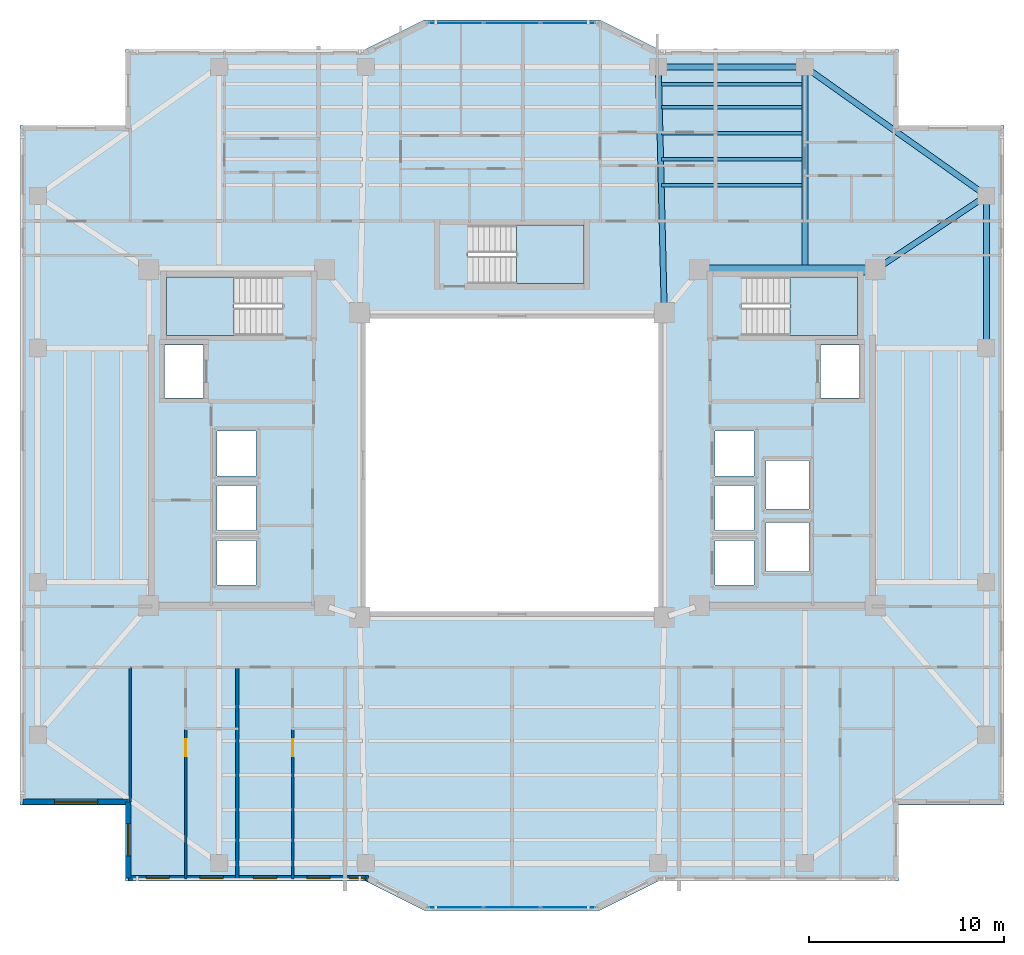
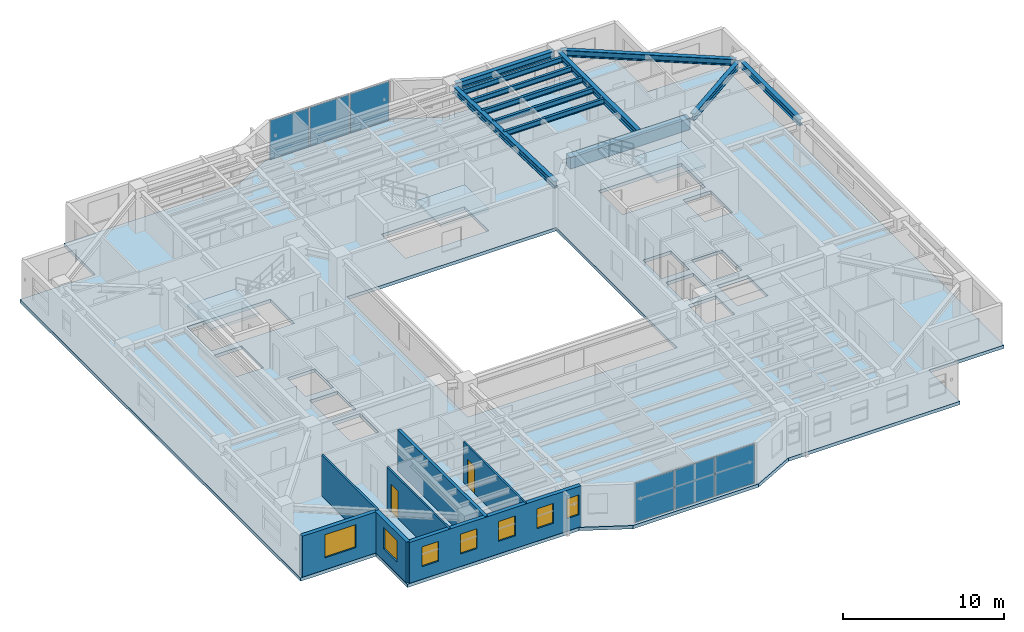
# One storey, part 5 of 16: 12 beams, 7 walls, 7 windows, 6 plates, 4 slabs, 2 doors, 9 openings, 5 elements without a shape of their own.
"""IFC4 building model written with IfcOpenShell, lengths in metres."""

from ifc_helpers import new_model, si_unit, direction, frame, frame_2d, origin, origin_2d, place, context, subcontext, project, spatial, polyline, rectangle, i_section, outline, extrude, material, layer, layer_set, material_profile, profile_set, type_object, element, fill, aggregate, save


model = new_model("IFC4")

# Units and contexts
model_context = context("Model", 3, precision=1e-05, world=origin(), true_north=direction((0.0, 1.0)))
body_context = subcontext(model_context, "Body", "Model", "MODEL_VIEW")
ifc_project = project(units=[si_unit("LENGTHUNIT", "METRE"), si_unit("AREAUNIT", "SQUARE_METRE"), si_unit("VOLUMEUNIT", "CUBIC_METRE"), si_unit("PLANEANGLEUNIT", "RADIAN"), si_unit("MASSUNIT", "GRAM", prefix="KILO")], contexts=[model_context])

# Site, building, storey
site_placement = place(None, origin())
site = spatial("IfcSite", under=ifc_project, at=site_placement, CompositionType="ELEMENT")
building_placement = place(site_placement, origin())
building = spatial("IfcBuilding", under=site, at=building_placement, Name="Tarnavaz Court Tower", CompositionType="ELEMENT")
storey_placement = place(building_placement, frame((0.0, 0.0, 156.050048828125)))
storey = spatial("IfcBuildingStorey", under=building, at=storey_placement, Name="L42", CompositionType="ELEMENT", Elevation=156.050048828125)

# Beams
ifc_material_1 = material(Name="Concrete C50/60", Category="concrete")
ifc_material_profile_1 = material_profile(ifc_material_1, rectangle(XDim=0.5, YDim=0.85009765625, at=origin_2d()), Name="RC 500X850")
ifc_profile_set_1 = profile_set([ifc_material_profile_1], Name="Concrete C50/60")
beam_type_1 = type_object("IfcBeamType", Name="BM-CB850", PredefinedType="LINTEL", material=ifc_profile_set_1)
beam_1_placement = place(storey_placement, frame((18.3798828125, 10.0, 2.675048828125), z_axis=(-1.0, 0.0, 0.0), x_axis=(0.0, -1.0, 0.0)))
element("IfcBeam", 1, at=beam_1_placement, inside=storey, type_object=beam_type_1, Name="L42 Beam IN-CE-NO-CE-NI", PredefinedType="LINTEL", context=body_context, shape_type="SweptSolid", body=[
    extrude(rectangle(XDim=0.5, YDim=0.85009765625, at=origin_2d()), origin(), (0.0, 0.0, 1.0), 8.559814453125),
])
ifc_material_2 = material(Name="Steel S355", Category="steel")
ifc_material_profile_2 = material_profile(ifc_material_2, i_section(OverallWidth=0.300048828125, OverallDepth=0.5, WebThickness=0.014404296875, FlangeThickness=0.028076171875, FilletRadius=0.027099609375, at=origin_2d()), Name="HEB 500")
ifc_profile_set_2 = profile_set([ifc_material_profile_2], Name="Steel S355")
beam_type_2 = type_object("IfcBeamType", Name="BM-G-HEB500", PredefinedType="USERDEFINED", material=ifc_profile_set_2)
beam_2_placement = place(storey_placement, frame((7.794921875, 8.02001953125, 2.849853515625), z_axis=(-0.023824748444, 0.999716150395, 0.0), x_axis=(-0.999716150395, -0.023824748444, 0.0)))
element("IfcBeam", 2, at=beam_2_placement, inside=storey, type_object=beam_type_2, Name="L42 Beam RG-03", ObjectType="GIRDER", PredefinedType="USERDEFINED", context=body_context, shape_type="SweptSolid", body=[
    extrude(i_section(OverallWidth=0.300048828125, OverallDepth=0.5, WebThickness=0.014404296875, FlangeThickness=0.028076171875, FilletRadius=0.027099609375, at=origin_2d()), origin(), (0.0, 0.0, 1.0), 12.16357421875),
])
beam_3_placement = place(storey_placement, frame((15.0, 10.0400390625, 2.849853515625), z_axis=(0.0, 1.0, 0.0), x_axis=(-1.0, 0.0, 0.0)))
element("IfcBeam", 3, at=beam_3_placement, inside=storey, type_object=beam_type_2, Name="L42 Beam RG-04", ObjectType="GIRDER", PredefinedType="USERDEFINED", context=body_context, shape_type="SweptSolid", body=[
    extrude(i_section(OverallWidth=0.300048828125, OverallDepth=0.5, WebThickness=0.014404296875, FlangeThickness=0.028076171875, FilletRadius=0.027099609375, at=origin_2d()), origin(), (0.0, 0.0, 1.0), 10.139892578125),
])
beam_4_placement = place(storey_placement, frame((18.783203125, 10.1220703125, 2.849853515625), z_axis=(0.832044435051, 0.554708985056, 0.0), x_axis=(-0.554708985056, 0.832044435051, 0.0)))
element("IfcBeam", 4, at=beam_4_placement, inside=storey, type_object=beam_type_2, Name="L42 Beam RG-12", ObjectType="GIRDER", PredefinedType="USERDEFINED", context=body_context, shape_type="SweptSolid", body=[
    extrude(i_section(OverallWidth=0.300048828125, OverallDepth=0.5, WebThickness=0.014404296875, FlangeThickness=0.028076171875, FilletRadius=0.027099609375, at=origin_2d()), origin(), (0.0, 0.0, 1.0), 6.410400390625),
])
ifc_material_profile_3 = material_profile(ifc_material_2, i_section(OverallWidth=0.179931640625, OverallDepth=0.39990234375, WebThickness=0.008544921875, FlangeThickness=0.013427734375, FilletRadius=0.02099609375, at=origin_2d()), Name="IPE 400")
ifc_profile_set_3 = profile_set([ifc_material_profile_3], Name="Steel S355")
beam_type_3 = type_object("IfcBeamType", Name="BM-J-IPE400", PredefinedType="JOIST", material=ifc_profile_set_3)
for number, where, z_axis, x_axis, name in (
    (5, (7.64990234375, 14.33203125, 2.89990234375), (1.0, 0.0, 0.0), (0.0, 1.0, 0.0), "L42 Beam JN1-3"),
    (6, (7.64990234375, 15.6640625, 2.89990234375), (1.0, 0.0, 0.0), (0.0, 1.0, 0.0), "L42 Beam JN2-3"),
    (7, (7.64990234375, 16.99609375, 2.89990234375), (1.0, 0.0, 0.0), (0.0, 1.0, 0.0), "L42 Beam JN3-3"),
    (8, (7.64990234375, 18.327880859375, 2.89990234375), (1.0, 0.0, 0.0), (0.0, 1.0, 0.0), "L42 Beam JN4-3"),
    (9, (7.64990234375, 19.511962890625, 2.89990234375), (1.0, 0.0, 0.0), (0.0, 1.0, 0.0), "L42 Beam JN5-3"),
):
    element("IfcBeam", number, at=place(storey_placement, frame(where, z_axis=z_axis, x_axis=x_axis)), inside=storey, type_object=beam_type_3, Name=name, PredefinedType="JOIST", context=body_context, shape_type="SweptSolid", body=[
        extrude(i_section(OverallWidth=0.179931640625, OverallDepth=0.39990234375, WebThickness=0.008544921875, FlangeThickness=0.013427734375, FilletRadius=0.02099609375, at=origin_2d()), origin(), (0.0, 0.0, 1.0), 7.2001953125),
    ])
ifc_material_profile_4 = material_profile(ifc_material_2, i_section(OverallWidth=0.300048828125, OverallDepth=0.489990234375, WebThickness=0.011962890625, FlangeThickness=0.02294921875, FilletRadius=0.027099609375, at=origin_2d()), Name="HEA 500")
ifc_profile_set_4 = profile_set([ifc_material_profile_4], Name="Steel S355")
beam_type_4 = type_object("IfcBeamType", Name="BM-SP-HEA500", PredefinedType="SPANDREL", material=ifc_profile_set_4)
beam_5_placement = place(storey_placement, frame((7.719970703125, 20.39990234375, 2.85498046875), z_axis=(1.0, 0.0, 0.0), x_axis=(0.0, 1.0, 0.0)))
element("IfcBeam", 10, at=beam_5_placement, inside=storey, type_object=beam_type_4, Name="L42 Beam PR-PN-3-PN-4", PredefinedType="SPANDREL", context=body_context, shape_type="SweptSolid", body=[
    extrude(i_section(OverallWidth=0.300048828125, OverallDepth=0.489990234375, WebThickness=0.011962890625, FlangeThickness=0.02294921875, FilletRadius=0.027099609375, at=origin_2d()), origin(), (0.0, 0.0, 1.0), 7.06005859375),
])
beam_6_placement = place(storey_placement, frame((24.300048828125, 6.219970703125, 2.85498046875), z_axis=(0.0, 1.0, 0.0), x_axis=(-1.0, 0.0, 0.0)))
element("IfcBeam", 11, at=beam_6_placement, inside=storey, type_object=beam_type_4, Name="L42 Beam PR-PE-3-PE-4", PredefinedType="SPANDREL", context=body_context, shape_type="SweptSolid", body=[
    extrude(i_section(OverallWidth=0.300048828125, OverallDepth=0.489990234375, WebThickness=0.011962890625, FlangeThickness=0.02294921875, FilletRadius=0.027099609375, at=origin_2d()), origin(), (0.0, 0.0, 1.0), 7.360107421875),
])
beam_7_placement = place(storey_placement, frame((15.179443359375, 20.272705078125, 2.85498046875), z_axis=(0.815502059396, -0.57875417158, 0.0), x_axis=(0.57875417158, 0.815502059396, 0.0)))
element("IfcBeam", 12, at=beam_7_placement, inside=storey, type_object=beam_type_4, Name="L42 Beam PR-PN-4-PE-4", PredefinedType="SPANDREL", context=body_context, shape_type="SweptSolid", body=[
    extrude(i_section(OverallWidth=0.300048828125, OverallDepth=0.489990234375, WebThickness=0.011962890625, FlangeThickness=0.02294921875, FilletRadius=0.027099609375, at=origin_2d()), origin(), (0.0, 0.0, 1.0), 10.964111328125),
])

# Curtain wall, plates
ifc_material_3 = material(Name="Anodised Aluminium 6063-T6 and Solar Low-E Glazing", Category="aluminium")
ifc_layer_1 = layer(ifc_material_3, 0.159912109375)
ifc_layer_set_1 = layer_set([ifc_layer_1], Name="Anodised Aluminium 6063-T6 and Solar Low-E Glazing")
curtain_wall_type = type_object("IfcCurtainWallType", Name="CW-SYS-03", PredefinedType="NOTDEFINED", material=ifc_layer_set_1)
curtain_wall_1_placement = place(storey_placement, origin())
curtain_wall_1 = element("IfcCurtainWall", 13, at=curtain_wall_1_placement, inside=storey, type_object=curtain_wall_type, Name="L42 Iwan Prow Curtain Wall 7", PredefinedType="NOTDEFINED")
ifc_material_4 = material(Name="Double-Glazed Solar Low-E Glass", Category="glass")
ifc_layer_2 = layer(ifc_material_4, 0.028076171875)
ifc_layer_set_2 = layer_set([ifc_layer_2], Name="Double-Glazed Solar Low-E Glass")
plate_type = type_object("IfcPlateType", Name="CW-PAN-GLZ28", PredefinedType="CURTAIN_PANEL", material=ifc_layer_set_2)
plate_1_placement = place(storey_placement, frame((-2.88134765625, 22.64990234375, 0.06494140625), z_axis=(0.0, 0.0, 1.0), x_axis=(1.0, 0.0, 0.0)))
plate_1 = element("IfcPlate", 14, at=plate_1_placement, type_object=plate_type, Name="CW panel 1.1", PredefinedType="CURTAIN_PANEL", context=body_context, shape_type="SweptSolid", body=[
    extrude(rectangle(XDim=2.78759765625, YDim=0.028076171875, at=origin_2d()), origin(), (0.0, 0.0, 1.0), 2.969970703125),
])
plate_2_placement = place(storey_placement, frame((0.0, 22.64990234375, 0.06494140625), z_axis=(0.0, 0.0, 1.0), x_axis=(1.0, 0.0, 0.0)))
plate_2 = element("IfcPlate", 15, at=plate_2_placement, type_object=plate_type, Name="CW panel 2.1", PredefinedType="CURTAIN_PANEL", context=body_context, shape_type="SweptSolid", body=[
    extrude(rectangle(XDim=2.824951171875, YDim=0.028076171875, at=origin_2d()), origin(), (0.0, 0.0, 1.0), 2.969970703125),
])
plate_3_placement = place(storey_placement, frame((2.88134765625, 22.64990234375, 0.06494140625), z_axis=(0.0, 0.0, 1.0), x_axis=(1.0, 0.0, 0.0)))
plate_3 = element("IfcPlate", 16, at=plate_3_placement, type_object=plate_type, Name="CW panel 3.1", PredefinedType="CURTAIN_PANEL", context=body_context, shape_type="SweptSolid", body=[
    extrude(rectangle(XDim=2.78759765625, YDim=0.028076171875, at=origin_2d()), origin(), (0.0, 0.0, 1.0), 2.969970703125),
])
aggregate(curtain_wall_1, [plate_1, plate_2, plate_3])

curtain_wall_2_placement = place(storey_placement, origin())
curtain_wall_2 = element("IfcCurtainWall", 17, at=curtain_wall_2_placement, inside=storey, type_object=curtain_wall_type, Name="L42 Iwan Prow Curtain Wall 17", PredefinedType="NOTDEFINED")
plate_4_placement = place(storey_placement, frame((2.88134765625, -22.64990234375, 0.06494140625), z_axis=(0.0, 0.0, 1.0), x_axis=(-1.0, 0.0, 0.0)))
plate_4 = element("IfcPlate", 18, at=plate_4_placement, type_object=plate_type, Name="CW panel 1.1", PredefinedType="CURTAIN_PANEL", context=body_context, shape_type="SweptSolid", body=[
    extrude(rectangle(XDim=2.78759765625, YDim=0.028076171875, at=origin_2d()), origin(), (0.0, 0.0, 1.0), 2.969970703125),
])
plate_5_placement = place(storey_placement, frame((0.0, -22.64990234375, 0.06494140625), z_axis=(0.0, 0.0, 1.0), x_axis=(-1.0, 0.0, 0.0)))
plate_5 = element("IfcPlate", 19, at=plate_5_placement, type_object=plate_type, Name="CW panel 2.1", PredefinedType="CURTAIN_PANEL", context=body_context, shape_type="SweptSolid", body=[
    extrude(rectangle(XDim=2.824951171875, YDim=0.028076171875, at=origin_2d()), origin(), (0.0, 0.0, 1.0), 2.969970703125),
])
plate_6_placement = place(storey_placement, frame((-2.88134765625, -22.64990234375, 0.06494140625), z_axis=(0.0, 0.0, 1.0), x_axis=(-1.0, 0.0, 0.0)))
plate_6 = element("IfcPlate", 20, at=plate_6_placement, type_object=plate_type, Name="CW panel 3.1", PredefinedType="CURTAIN_PANEL", context=body_context, shape_type="SweptSolid", body=[
    extrude(rectangle(XDim=2.78759765625, YDim=0.028076171875, at=origin_2d()), origin(), (0.0, 0.0, 1.0), 2.969970703125),
])
aggregate(curtain_wall_2, [plate_4, plate_5, plate_6])

# Stair, slab
ifc_material_5 = material(Name="Concrete C40/50", Category="concrete")
stair_type = type_object("IfcStairType", Name="ST-TWR-20R", PredefinedType="HALF_TURN_STAIR", material=ifc_material_5)
stair_1_placement = place(storey_placement, origin())
stair_1 = element("IfcStair", 21, at=stair_1_placement, inside=storey, type_object=stair_type, Name="L42 West Core Pressurized Exit Stair ST-W1", PredefinedType="HALF_TURN_STAIR")
ifc_layer_3 = layer(ifc_material_5, 0.199951171875)
ifc_layer_set_3 = layer_set([ifc_layer_3], Name="Concrete C40/50")
slab_type_1 = type_object("IfcSlabType", Name="SL-LAND-200", PredefinedType="LANDING", material=ifc_layer_set_3)
slab_1_placement = place(storey_placement, frame((0.0, 0.0, 1.474853515625)))
slab_1 = element("IfcSlab", 22, at=slab_1_placement, type_object=slab_type_1, Name="ST-W1 landing 1", PredefinedType="LANDING", context=body_context, shape_type="SweptSolid", body=[
    extrude(outline(polyline([(-14.239990234375, 9.639892578125), (-17.699951171875, 9.639892578125), (-17.699951171875, 6.64990234375), (-14.239990234375, 6.64990234375), (-14.239990234375, 9.639892578125)])), origin(), (0.0, 0.0, 1.0), 0.2001953125),
])
aggregate(stair_1, [slab_1])

stair_2_placement = place(storey_placement, origin())
stair_2 = element("IfcStair", 23, at=stair_2_placement, inside=storey, type_object=stair_type, Name="L42 East Core Pressurized Exit Stair ST-E1", PredefinedType="HALF_TURN_STAIR")
slab_2_placement = place(storey_placement, frame((0.0, 0.0, 1.474853515625)))
slab_2 = element("IfcSlab", 24, at=slab_2_placement, type_object=slab_type_1, Name="ST-E1 landing 1", PredefinedType="LANDING", context=body_context, shape_type="SweptSolid", body=[
    extrude(outline(polyline([(14.239990234375, 6.64990234375), (17.699951171875, 6.64990234375), (17.699951171875, 9.639892578125), (14.239990234375, 9.639892578125), (14.239990234375, 6.64990234375)])), origin(), (0.0, 0.0, 1.0), 0.2001953125),
])
aggregate(stair_2, [slab_2])

stair_3_placement = place(storey_placement, origin())
stair_3 = element("IfcStair", 25, at=stair_3_placement, inside=storey, type_object=stair_type, Name="L42 North Ring Pressurized Exit Stair ST-N1", PredefinedType="HALF_TURN_STAIR")
slab_3_placement = place(storey_placement, frame((0.0, 0.0, 1.474853515625)))
slab_3 = element("IfcSlab", 26, at=slab_3_placement, type_object=slab_type_1, Name="ST-N1 landing 1", PredefinedType="LANDING", context=body_context, shape_type="SweptSolid", body=[
    extrude(outline(polyline([(0.239990234375, 9.300048828125), (3.699951171875, 9.300048828125), (3.699951171875, 12.2900390625), (0.239990234375, 12.2900390625), (0.239990234375, 9.300048828125)])), origin(), (0.0, 0.0, 1.0), 0.2001953125),
])
aggregate(stair_3, [slab_3])

# Slab
ifc_layer_4 = layer(ifc_material_5, 0.25)
ifc_layer_set_4 = layer_set([ifc_layer_4], Name="Concrete C40/50")
slab_type_2 = type_object("IfcSlabType", Name="SL-RES-250", PredefinedType="FLOOR", material=ifc_layer_set_4)
slab_4_placement = place(storey_placement, frame((0.0, 0.0, -0.25)))
element("IfcSlab", 27, at=slab_4_placement, inside=storey, type_object=slab_type_2, Name="L42 Structural Floor Slab", PredefinedType="FLOOR", context=body_context, shape_type="SweptSolid", body=[
    extrude(outline(polyline([(-19.800048828125, -21.300048828125), (-7.5, -21.300048828125), (-4.5, -22.800048828125), (4.5, -22.800048828125), (7.5, -21.300048828125), (19.800048828125, -21.300048828125), (19.800048828125, -17.39990234375), (25.199951171875, -17.39990234375), (25.199951171875, 17.39990234375), (19.800048828125, 17.39990234375), (19.800048828125, 21.300048828125), (7.5, 21.300048828125), (4.5, 22.800048828125), (-4.5, 22.800048828125), (-7.5, 21.300048828125), (-19.800048828125, 21.300048828125), (-19.800048828125, 17.39990234375), (-25.199951171875, 17.39990234375), (-25.199951171875, -17.39990234375), (-19.800048828125, -17.39990234375), (-19.800048828125, -21.300048828125)]), holes=[polyline([(-7.5, -7.5), (7.5, -7.5), (7.5, 7.5), (-7.5, 7.5), (-7.5, -7.5)]), polyline([(-11.7451171875, 9.639892578125), (-17.699951171875, 9.639892578125), (-17.699951171875, 6.64990234375), (-11.7451171875, 6.64990234375), (-11.7451171875, 9.639892578125)]), polyline([(11.7451171875, 6.64990234375), (17.699951171875, 6.64990234375), (17.699951171875, 9.639892578125), (11.7451171875, 9.639892578125), (11.7451171875, 6.64990234375)]), polyline([(-2.2548828125, 9.300048828125), (3.699951171875, 9.300048828125), (3.699951171875, 12.2900390625), (-2.2548828125, 12.2900390625), (-2.2548828125, 9.300048828125)]), polyline([(-17.800048828125, 3.449951171875), (-15.800048828125, 3.449951171875), (-15.800048828125, 6.14990234375), (-17.800048828125, 6.14990234375), (-17.800048828125, 3.449951171875)]), polyline([(-15.10009765625, -6.14990234375), (-13.10009765625, -6.14990234375), (-13.10009765625, -3.85009765625), (-15.10009765625, -3.85009765625), (-15.10009765625, -6.14990234375)]), polyline([(-15.10009765625, -3.35009765625), (-13.10009765625, -3.35009765625), (-13.10009765625, -1.050048828125), (-15.10009765625, -1.050048828125), (-15.10009765625, -3.35009765625)]), polyline([(-15.10009765625, -0.550048828125), (-13.10009765625, -0.550048828125), (-13.10009765625, 1.75), (-15.10009765625, 1.75), (-15.10009765625, -0.550048828125)]), polyline([(15.800048828125, 3.449951171875), (17.800048828125, 3.449951171875), (17.800048828125, 6.14990234375), (15.800048828125, 6.14990234375), (15.800048828125, 3.449951171875)]), polyline([(10.39990234375, -6.14990234375), (12.39990234375, -6.14990234375), (12.39990234375, -3.85009765625), (10.39990234375, -3.85009765625), (10.39990234375, -6.14990234375)]), polyline([(10.39990234375, -3.35009765625), (12.39990234375, -3.35009765625), (12.39990234375, -1.050048828125), (10.39990234375, -1.050048828125), (10.39990234375, -3.35009765625)]), polyline([(10.39990234375, -0.550048828125), (12.39990234375, -0.550048828125), (12.39990234375, 1.75), (10.39990234375, 1.75), (10.39990234375, -0.550048828125)]), polyline([(13.0, -5.449951171875), (15.199951171875, -5.449951171875), (15.199951171875, -2.949951171875), (13.0, -2.949951171875), (13.0, -5.449951171875)]), polyline([(13.0, -2.25), (15.199951171875, -2.25), (15.199951171875, 0.25), (13.0, 0.25), (13.0, -2.25)])]), origin(), (0.0, 0.0, 1.0), 0.25),
])

# Wall, opening, window
ifc_material_6 = material(Name="Precast Concrete C40/50", Category="concrete")
ifc_layer_5 = layer(ifc_material_6, 0.280029296875)
ifc_layer_set_5 = layer_set([ifc_layer_5], Name="Precast Concrete C40/50")
wall_type_1 = type_object("IfcWallType", Name="WL-EXT-280", PredefinedType="SOLIDWALL", material=ifc_layer_set_5)
wall_1_placement = place(storey_placement, frame((-19.64990234375, -17.25, 0.0), z_axis=(0.0, 0.0, 1.0), x_axis=(-1.0, 0.0, 0.0)))
wall_1 = element("IfcWall", 28, at=wall_1_placement, inside=storey, type_object=wall_type_1, Name="L42 Exterior Terracotta Facade Wall 01", PredefinedType="SOLIDWALL", context=body_context, shape_type="SweptSolid", body=[
    extrude(rectangle(XDim=5.400146484375, YDim=0.280029296875, at=frame_2d((2.7001953125, 0.0))), origin(), (0.0, 0.0, 1.0), 3.099853515625),
])
opening_1_placement = place(wall_1_placement, frame((1.574951171875, 0.0, 0.89990234375)))
opening_1 = element("IfcOpeningElement", 29, at=opening_1_placement, cuts=wall_1, Name="Opening W07", PredefinedType="OPENING", context=body_context, shape_type="SweptSolid", body=[
    extrude(rectangle(XDim=2.199951171875, YDim=1.75, at=frame_2d((1.10009765625, 0.875))), frame((0.0, 0.14990234375, 0.0), z_axis=(0.0, -1.0, 0.0), x_axis=(1.0, 0.0, 0.0)), (0.0, 0.0, 1.0), 0.300048828125),
])
window_type_1 = type_object("IfcWindowType", Name="WN-APT-2200", PartitioningType="TRIPLE_PANEL_VERTICAL", PredefinedType="WINDOW", material=ifc_material_4)
window_1_placement = place(opening_1_placement, origin())
window_1 = element("IfcWindow", 30, at=window_1_placement, inside=storey, type_object=window_type_1, Name="L42 South-West Corner Reading Room Window", OverallHeight=1.75, OverallWidth=2.199951171875, PartitioningType="SINGLE_PANEL", PredefinedType="WINDOW", context=body_context, shape_type="SweptSolid", body=[
    extrude(rectangle(XDim=2.199951171875, YDim=1.75, at=frame_2d((1.10009765625, 0.875))), frame((0.0, 0.030029296875, 0.0), z_axis=(0.0, -1.0, 0.0), x_axis=(1.0, 0.0, 0.0)), (0.0, 0.0, 1.0), 0.06005859375),
])
fill(opening_1, window_1)

# Wall, openings, windows
wall_2_placement = place(storey_placement, frame((-7.35009765625, -21.14990234375, 0.0), z_axis=(0.0, 0.0, 1.0), x_axis=(-1.0, 0.0, 0.0)))
wall_2 = element("IfcWall", 31, at=wall_2_placement, inside=storey, type_object=wall_type_1, Name="L42 Exterior Terracotta Facade Wall 19", PredefinedType="SOLIDWALL", context=body_context, shape_type="SweptSolid", body=[
    extrude(rectangle(XDim=12.2998046875, YDim=0.280029296875, at=frame_2d((6.14990234375, 0.0))), origin(), (0.0, 0.0, 1.0), 3.099853515625),
])
opening_2_placement = place(wall_2_placement, frame((0.147216796875, 0.0, 0.949951171875)))
opening_2 = element("IfcOpeningElement", 32, at=opening_2_placement, cuts=wall_2, Name="Opening W15", PredefinedType="OPENING", context=body_context, shape_type="SweptSolid", body=[
    extrude(rectangle(XDim=0.85009765625, YDim=1.5, at=frame_2d((0.425048828125, 0.75))), frame((0.0, 0.14990234375, 0.0), z_axis=(0.0, -1.0, 0.0), x_axis=(1.0, 0.0, 0.0)), (0.0, 0.0, 1.0), 0.300048828125),
])
opening_3_placement = place(wall_2_placement, frame((1.96044921875, 0.0, 0.949951171875)))
opening_3 = element("IfcOpeningElement", 33, at=opening_3_placement, cuts=wall_2, Name="Opening W05", PredefinedType="OPENING", context=body_context, shape_type="SweptSolid", body=[
    extrude(rectangle(XDim=1.199951171875, YDim=1.5, at=frame_2d((0.60009765625, 0.75))), frame((0.0, 0.14990234375, 0.0), z_axis=(0.0, -1.0, 0.0), x_axis=(1.0, 0.0, 0.0)), (0.0, 0.0, 1.0), 0.300048828125),
])
opening_4_placement = place(wall_2_placement, frame((4.696533203125, 0.0, 0.949951171875)))
opening_4 = element("IfcOpeningElement", 34, at=opening_4_placement, cuts=wall_2, Name="Opening W05", PredefinedType="OPENING", context=body_context, shape_type="SweptSolid", body=[
    extrude(rectangle(XDim=1.199951171875, YDim=1.5, at=frame_2d((0.60009765625, 0.75))), frame((0.0, 0.14990234375, 0.0), z_axis=(0.0, -1.0, 0.0), x_axis=(1.0, 0.0, 0.0)), (0.0, 0.0, 1.0), 0.300048828125),
])
opening_5_placement = place(wall_2_placement, frame((7.4326171875, 0.0, 0.949951171875)))
opening_5 = element("IfcOpeningElement", 35, at=opening_5_placement, cuts=wall_2, Name="Opening W05", PredefinedType="OPENING", context=body_context, shape_type="SweptSolid", body=[
    extrude(rectangle(XDim=1.199951171875, YDim=1.5, at=frame_2d((0.60009765625, 0.75))), frame((0.0, 0.14990234375, 0.0), z_axis=(0.0, -1.0, 0.0), x_axis=(1.0, 0.0, 0.0)), (0.0, 0.0, 1.0), 0.300048828125),
])
opening_6_placement = place(wall_2_placement, frame((10.19384765625, 0.0, 0.949951171875)))
opening_6 = element("IfcOpeningElement", 36, at=opening_6_placement, cuts=wall_2, Name="Opening W05", PredefinedType="OPENING", context=body_context, shape_type="SweptSolid", body=[
    extrude(rectangle(XDim=1.199951171875, YDim=1.5, at=frame_2d((0.60009765625, 0.75))), frame((0.0, 0.14990234375, 0.0), z_axis=(0.0, -1.0, 0.0), x_axis=(1.0, 0.0, 0.0)), (0.0, 0.0, 1.0), 0.300048828125),
])
window_type_2 = type_object("IfcWindowType", Name="WN-APT-1200", PartitioningType="SINGLE_PANEL", PredefinedType="WINDOW", material=ifc_material_4)
window_2_placement = place(opening_3_placement, origin())
window_2 = element("IfcWindow", 37, at=window_2_placement, inside=storey, type_object=window_type_2, Name="L42 Flat 06 Kitchen Window", OverallHeight=1.5, OverallWidth=1.199951171875, PartitioningType="SINGLE_PANEL", PredefinedType="WINDOW", context=body_context, shape_type="SweptSolid", body=[
    extrude(rectangle(XDim=1.199951171875, YDim=1.5, at=frame_2d((0.60009765625, 0.75))), frame((0.0, 0.030029296875, 0.0), z_axis=(0.0, -1.0, 0.0), x_axis=(1.0, 0.0, 0.0)), (0.0, 0.0, 1.0), 0.06005859375),
])
fill(opening_3, window_2)
window_3_placement = place(opening_4_placement, origin())
window_3 = element("IfcWindow", 38, at=window_3_placement, inside=storey, type_object=window_type_2, Name="L42 Flat 06 Studio Living and Sleeping Room Window", OverallHeight=1.5, OverallWidth=1.199951171875, PartitioningType="SINGLE_PANEL", PredefinedType="WINDOW", context=body_context, shape_type="SweptSolid", body=[
    extrude(rectangle(XDim=1.199951171875, YDim=1.5, at=frame_2d((0.60009765625, 0.75))), frame((0.0, 0.030029296875, 0.0), z_axis=(0.0, -1.0, 0.0), x_axis=(1.0, 0.0, 0.0)), (0.0, 0.0, 1.0), 0.06005859375),
])
fill(opening_4, window_3)
window_4_placement = place(opening_5_placement, origin())
window_4 = element("IfcWindow", 39, at=window_4_placement, inside=storey, type_object=window_type_2, Name="L42 Flat 05 Kitchen Window", OverallHeight=1.5, OverallWidth=1.199951171875, PartitioningType="SINGLE_PANEL", PredefinedType="WINDOW", context=body_context, shape_type="SweptSolid", body=[
    extrude(rectangle(XDim=1.199951171875, YDim=1.5, at=frame_2d((0.60009765625, 0.75))), frame((0.0, 0.030029296875, 0.0), z_axis=(0.0, -1.0, 0.0), x_axis=(1.0, 0.0, 0.0)), (0.0, 0.0, 1.0), 0.06005859375),
])
fill(opening_5, window_4)
window_5_placement = place(opening_6_placement, origin())
window_5 = element("IfcWindow", 40, at=window_5_placement, inside=storey, type_object=window_type_2, Name="L42 Flat 05 Studio Living and Sleeping Room Window", OverallHeight=1.5, OverallWidth=1.199951171875, PartitioningType="SINGLE_PANEL", PredefinedType="WINDOW", context=body_context, shape_type="SweptSolid", body=[
    extrude(rectangle(XDim=1.199951171875, YDim=1.5, at=frame_2d((0.60009765625, 0.75))), frame((0.0, 0.030029296875, 0.0), z_axis=(0.0, -1.0, 0.0), x_axis=(1.0, 0.0, 0.0)), (0.0, 0.0, 1.0), 0.06005859375),
])
fill(opening_6, window_5)
window_type_3 = type_object("IfcWindowType", Name="WN-APT-850", PartitioningType="SINGLE_PANEL", PredefinedType="WINDOW", material=ifc_material_4)
window_6_placement = place(opening_2_placement, origin())
window_6 = element("IfcWindow", 41, at=window_6_placement, inside=storey, type_object=window_type_3, Name="L42 South Courtyard Majlis Lounge Window", OverallHeight=1.5, OverallWidth=0.85009765625, PartitioningType="SINGLE_PANEL", PredefinedType="WINDOW", context=body_context, shape_type="SweptSolid", body=[
    extrude(rectangle(XDim=0.85009765625, YDim=1.5, at=frame_2d((0.425048828125, 0.75))), frame((0.0, 0.030029296875, 0.0), z_axis=(0.0, -1.0, 0.0), x_axis=(1.0, 0.0, 0.0)), (0.0, 0.0, 1.0), 0.06005859375),
])
fill(opening_2, window_6)

# Wall, opening, window
wall_3_placement = place(storey_placement, frame((-19.64990234375, -21.14990234375, 0.0), z_axis=(0.0, 0.0, 1.0), x_axis=(0.0, 1.0, 0.0)))
wall_3 = element("IfcWall", 42, at=wall_3_placement, inside=storey, type_object=wall_type_1, Name="L42 Exterior Terracotta Facade Wall 20", PredefinedType="SOLIDWALL", context=body_context, shape_type="SweptSolid", body=[
    extrude(rectangle(XDim=3.89990234375, YDim=0.280029296875, at=frame_2d((1.949951171875, 0.0))), origin(), (0.0, 0.0, 1.0), 3.099853515625),
])
opening_7_placement = place(wall_3_placement, frame((1.142822265625, 0.0, 0.89990234375)))
opening_7 = element("IfcOpeningElement", 43, at=opening_7_placement, cuts=wall_3, Name="Opening W02", PredefinedType="OPENING", context=body_context, shape_type="SweptSolid", body=[
    extrude(rectangle(XDim=1.64990234375, YDim=1.60009765625, at=frame_2d((0.824951171875, 0.800048828125))), frame((0.0, 0.14990234375, 0.0), z_axis=(0.0, -1.0, 0.0), x_axis=(1.0, 0.0, 0.0)), (0.0, 0.0, 1.0), 0.300048828125),
])
window_type_4 = type_object("IfcWindowType", Name="WN-APT-1650", PartitioningType="DOUBLE_PANEL_VERTICAL", PredefinedType="WINDOW", material=ifc_material_4)
window_7_placement = place(opening_7_placement, origin())
window_7 = element("IfcWindow", 44, at=window_7_placement, inside=storey, type_object=window_type_4, Name="L42 Flat 05 Studio Living and Sleeping Room Window", OverallHeight=1.60009765625, OverallWidth=1.64990234375, PartitioningType="SINGLE_PANEL", PredefinedType="WINDOW", context=body_context, shape_type="SweptSolid", body=[
    extrude(rectangle(XDim=1.64990234375, YDim=1.60009765625, at=frame_2d((0.824951171875, 0.800048828125))), frame((0.0, 0.030029296875, 0.0), z_axis=(0.0, -1.0, 0.0), x_axis=(1.0, 0.0, 0.0)), (0.0, 0.0, 1.0), 0.06005859375),
])
fill(opening_7, window_7)

# Wall
ifc_material_7 = material(Name="Autoclaved Aerated Concrete Blockwork", Category="masonry")
ifc_layer_6 = layer(ifc_material_7, 0.199951171875)
ifc_layer_set_6 = layer_set([ifc_layer_6], Name="Autoclaved Aerated Concrete Blockwork")
wall_type_2 = type_object("IfcWallType", Name="WL-FIRE-200", PredefinedType="SOLIDWALL", material=ifc_layer_set_6)
wall_4_placement = place(storey_placement, frame((-14.074951171875, -21.199951171875, 0.0), z_axis=(0.0, 0.0, 1.0), x_axis=(0.0, 1.0, 0.0)))
element("IfcWall", 45, at=wall_4_placement, inside=storey, type_object=wall_type_2, Name="L42 Party Wall 100", PredefinedType="SOLIDWALL", context=body_context, shape_type="SweptSolid", body=[
    extrude(rectangle(XDim=10.849853515625, YDim=0.199951171875, at=frame_2d((5.4248046875, 0.0))), origin(), (0.0, 0.0, 1.0), 3.099853515625),
])

# Wall, opening, door
ifc_material_8 = material(Name="Moisture-Resistant Gypsum Board Partition", Category="masonry")
ifc_layer_7 = layer(ifc_material_8, 0.1201171875)
ifc_layer_set_7 = layer_set([ifc_layer_7], Name="Moisture-Resistant Gypsum Board Partition")
wall_type_3 = type_object("IfcWallType", Name="WL-PART-120", PredefinedType="PARTITIONING", material=ifc_layer_set_7)
wall_5_placement = place(storey_placement, frame((-16.705078125, -21.199951171875, 0.0), z_axis=(0.0, 0.0, 1.0), x_axis=(0.0, 1.0, 0.0)))
wall_5 = element("IfcWall", 46, at=wall_5_placement, inside=storey, type_object=wall_type_3, Name="L42 Interior Partition 101", PredefinedType="PARTITIONING", context=body_context, shape_type="SweptSolid", body=[
    extrude(rectangle(XDim=7.68994140625, YDim=0.1201171875, at=frame_2d((3.844970703125, 0.0))), origin(), (0.0, 0.0, 1.0), 3.099853515625),
])
opening_8_placement = place(wall_5_placement, frame((6.2900390625, 0.0, 0.0)))
opening_8 = element("IfcOpeningElement", 47, at=opening_8_placement, cuts=wall_5, Name="Opening D14", PredefinedType="OPENING", context=body_context, shape_type="SweptSolid", body=[
    extrude(rectangle(XDim=0.8798828125, YDim=2.10009765625, at=frame_2d((0.43994140625, 1.050048828125))), frame((0.0, 0.070068359375, 0.0), z_axis=(0.0, -1.0, 0.0), x_axis=(1.0, 0.0, 0.0)), (0.0, 0.0, 1.0), 0.14013671875),
])
ifc_material_9 = material(Name="Engineered Oak Timber", Category="wood")
door_type = type_object("IfcDoorType", Name="DR-INT-900", OperationType="NOTDEFINED", PredefinedType="DOOR", material=ifc_material_9)
door_1_placement = place(opening_8_placement, origin())
door_1 = element("IfcDoor", 48, at=door_1_placement, inside=storey, type_object=door_type, Name="L42 Flat 05 Kitchen Door", OperationType="SINGLE_SWING_RIGHT", OverallHeight=2.10009765625, OverallWidth=0.8798828125, PredefinedType="DOOR", context=body_context, shape_type="SweptSolid", body=[
    extrude(rectangle(XDim=0.8798828125, YDim=2.10009765625, at=frame_2d((0.43994140625, 1.050048828125))), frame((0.0, 0.02490234375, 0.0), z_axis=(0.0, -1.0, 0.0), x_axis=(1.0, 0.0, 0.0)), (0.0, 0.0, 1.0), 0.050048828125),
])
fill(opening_8, door_1)

wall_6_placement = place(storey_placement, frame((-11.22998046875, -21.199951171875, 0.0), z_axis=(0.0, 0.0, 1.0), x_axis=(0.0, 1.0, 0.0)))
wall_6 = element("IfcWall", 49, at=wall_6_placement, inside=storey, type_object=wall_type_3, Name="L42 Interior Partition 104", PredefinedType="PARTITIONING", context=body_context, shape_type="SweptSolid", body=[
    extrude(rectangle(XDim=7.68994140625, YDim=0.1201171875, at=frame_2d((3.844970703125, 0.0))), origin(), (0.0, 0.0, 1.0), 3.099853515625),
])
opening_9_placement = place(wall_6_placement, frame((6.2900390625, 0.0, 0.0)))
opening_9 = element("IfcOpeningElement", 50, at=opening_9_placement, cuts=wall_6, Name="Opening D14", PredefinedType="OPENING", context=body_context, shape_type="SweptSolid", body=[
    extrude(rectangle(XDim=0.8798828125, YDim=2.10009765625, at=frame_2d((0.43994140625, 1.050048828125))), frame((0.0, 0.070068359375, 0.0), z_axis=(0.0, -1.0, 0.0), x_axis=(1.0, 0.0, 0.0)), (0.0, 0.0, 1.0), 0.14013671875),
])
door_2_placement = place(opening_9_placement, origin())
door_2 = element("IfcDoor", 51, at=door_2_placement, inside=storey, type_object=door_type, Name="L42 Flat 06 Kitchen Door", OperationType="SINGLE_SWING_LEFT", OverallHeight=2.10009765625, OverallWidth=0.8798828125, PredefinedType="DOOR", context=body_context, shape_type="SweptSolid", body=[
    extrude(rectangle(XDim=0.8798828125, YDim=2.10009765625, at=frame_2d((0.43994140625, 1.050048828125))), frame((0.0, 0.02490234375, 0.0), z_axis=(0.0, -1.0, 0.0), x_axis=(1.0, 0.0, 0.0)), (0.0, 0.0, 1.0), 0.050048828125),
])
fill(opening_9, door_2)

# Wall
ifc_material_10 = material(Name="Gypsum Plasterboard Acoustic Partition", Category="masonry")
ifc_layer_8 = layer(ifc_material_10, 0.139892578125)
ifc_layer_set_8 = layer_set([ifc_layer_8], Name="Gypsum Plasterboard Acoustic Partition")
wall_type_4 = type_object("IfcWallType", Name="WL-PART-150", PredefinedType="PARTITIONING", material=ifc_layer_set_8)
wall_7_placement = place(storey_placement, frame((-19.550048828125, -17.25, 0.0), z_axis=(0.0, 0.0, 1.0), x_axis=(0.0, 1.0, 0.0)))
element("IfcWall", 52, at=wall_7_placement, inside=storey, type_object=wall_type_4, Name="L42 Interior Partition 122", PredefinedType="PARTITIONING", context=body_context, shape_type="SweptSolid", body=[
    extrude(rectangle(XDim=6.89990234375, YDim=0.139892578125, at=frame_2d((3.449951171875, 0.0))), origin(), (0.0, 0.0, 1.0), 3.099853515625),
])

save(model, "model.ifc")
